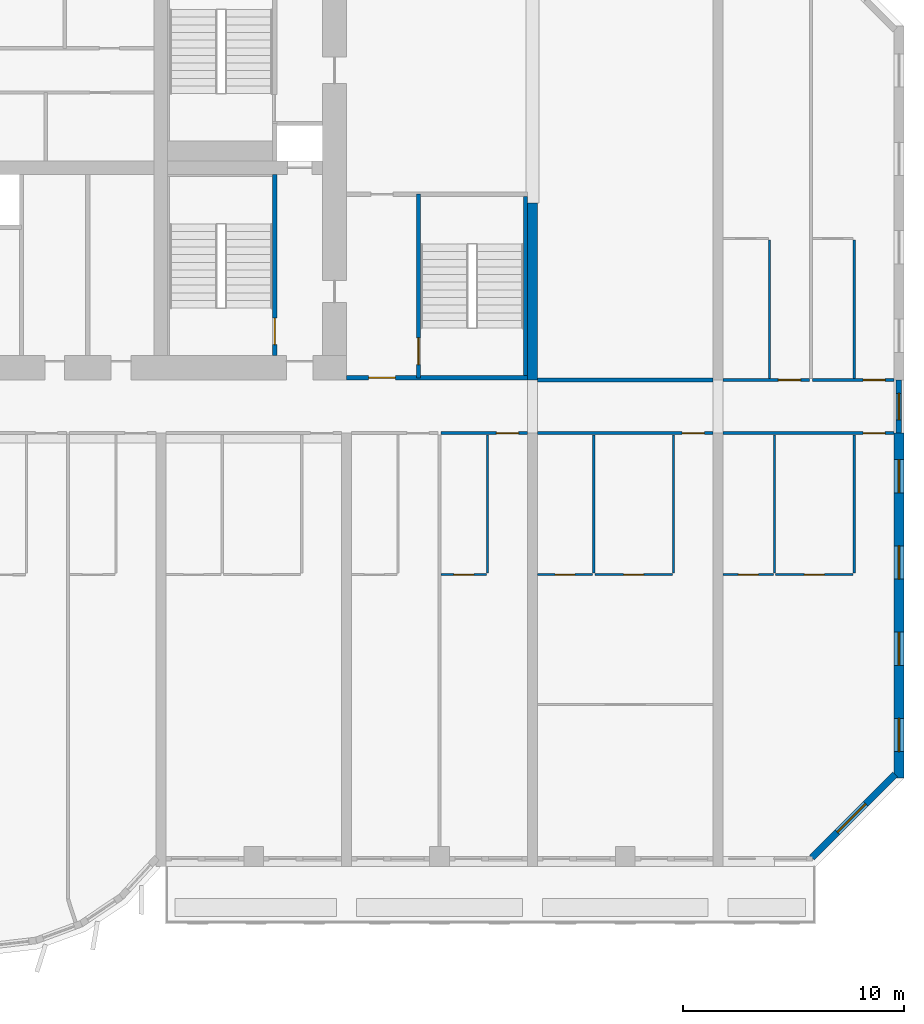
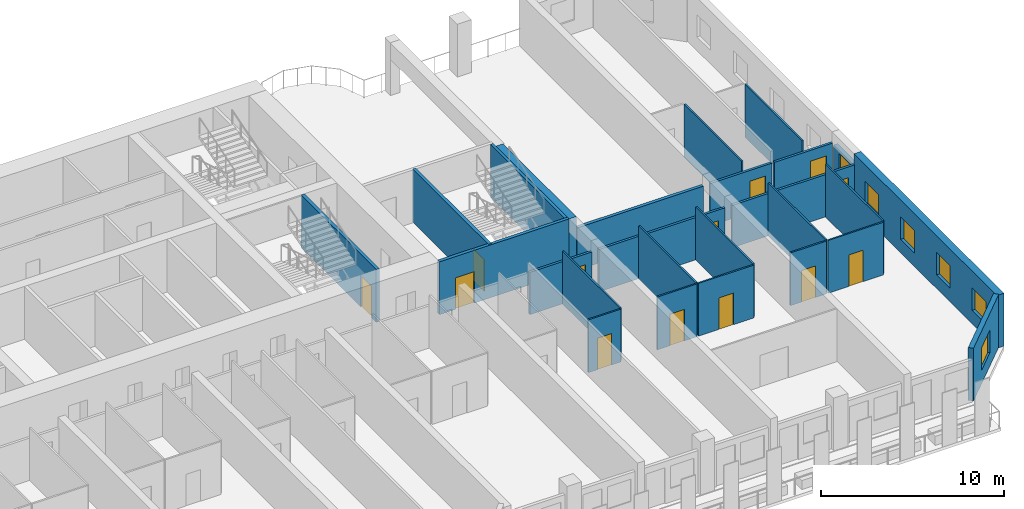
# One storey, part 9 of 14: 26 walls, 13 doors, 6 windows, 19 openings.
"""IFC4 building model written with IfcOpenShell, lengths in metres."""

from ifc_helpers import new_model, si_unit, direction, frame, frame_2d, origin, place, context, subcontext, project, spatial, rectangle, extrude, source, transform, mapped, material, layer, layer_set, type_object, element, fill, save


model = new_model("IFC4")

# Units and contexts
model_context = context("Model", 3, precision=1e-05, world=origin(), true_north=direction((0.0, 1.0)))
body_context = subcontext(model_context, "Body", "Model", "MODEL_VIEW")
ifc_project = project(units=[si_unit("LENGTHUNIT", "METRE"), si_unit("AREAUNIT", "SQUARE_METRE"), si_unit("VOLUMEUNIT", "CUBIC_METRE"), si_unit("PLANEANGLEUNIT", "RADIAN"), si_unit("MASSUNIT", "GRAM", prefix="KILO")], contexts=[model_context])

# Site, building, storey
site_placement = place(None, origin())
site = spatial("IfcSite", under=ifc_project, at=site_placement, CompositionType="ELEMENT")
building_placement = place(site_placement, origin())
building = spatial("IfcBuilding", under=site, at=building_placement, Name="Vanashikhar Sky Hotel", CompositionType="ELEMENT")
storey_placement = place(building_placement, frame((0.0, 0.0, 43.0)))
storey = spatial("IfcBuildingStorey", under=building, at=storey_placement, Name="L09", CompositionType="ELEMENT", Elevation=43.0)

# Wall, openings, windows
ifc_material_1 = material(Name="Concrete M80", Category="concrete")
ifc_layer_1 = layer(ifc_material_1, 0.449951171875)
ifc_layer_set_1 = layer_set([ifc_layer_1], Name="RC shear wall 450 Concrete M80")
wall_type_1 = type_object("IfcWallType", Name="RC shear wall 450 Concrete M80", PredefinedType="SHEAR", material=ifc_layer_set_1)
shared_shape_1 = source(origin(), body_context, "Body", "SweptSolid", [
    extrude(rectangle(XDim=15.60009765625, YDim=0.449951171875, at=frame_2d((7.800048828125, 0.0))), origin(), (0.0, 0.0, 1.0), 3.52001953125),
])
wall_1_placement = place(storey_placement, frame((100.574951171875, 4.0, 0.0), z_axis=(0.0, 0.0, 1.0), x_axis=(0.0, 1.0, 0.0)))
wall_1 = element("IfcWall", 1, at=wall_1_placement, inside=storey, type_object=wall_type_1, Name="CW-L09-XW13-1", PredefinedType="SHEAR", context=body_context, shape_type="MappedRepresentation", body=[
    mapped(shared_shape_1, transform((0.0, 0.0, 0.0), scale=1.0)),
])
shared_shape_2 = source(origin(), body_context, "Body", "SweptSolid", [
    extrude(rectangle(XDim=1.5, YDim=1.5, at=frame_2d((0.75, 0.75))), frame((0.0, 0.23486328125, 0.0), z_axis=(0.0, -1.0, 0.0), x_axis=(1.0, 0.0, 0.0)), (0.0, 0.0, 1.0), 0.469970703125),
])
opening_1_placement = place(wall_1_placement, frame((1.199951171875, 0.0, 0.89990234375)))
opening_1 = element("IfcOpeningElement", 2, at=opening_1_placement, cuts=wall_1, Name="Opening WN-1", PredefinedType="OPENING", context=body_context, shape_type="MappedRepresentation", body=[
    mapped(shared_shape_2, transform((0.0, 0.0, 0.0), scale=1.0)),
])
opening_2_placement = place(wall_1_placement, frame((5.10009765625, 0.0, 0.89990234375)))
opening_2 = element("IfcOpeningElement", 3, at=opening_2_placement, cuts=wall_1, Name="Opening WN-1", PredefinedType="OPENING", context=body_context, shape_type="MappedRepresentation", body=[
    mapped(shared_shape_2, transform((0.0, 0.0, 0.0), scale=1.0)),
])
opening_3_placement = place(wall_1_placement, frame((9.0, 0.0, 0.89990234375)))
opening_3 = element("IfcOpeningElement", 4, at=opening_3_placement, cuts=wall_1, Name="Opening WN-1", PredefinedType="OPENING", context=body_context, shape_type="MappedRepresentation", body=[
    mapped(shared_shape_2, transform((0.0, 0.0, 0.0), scale=1.0)),
])
opening_4_placement = place(wall_1_placement, frame((12.89990234375, 0.0, 0.89990234375)))
opening_4 = element("IfcOpeningElement", 5, at=opening_4_placement, cuts=wall_1, Name="Opening WN-1", PredefinedType="OPENING", context=body_context, shape_type="MappedRepresentation", body=[
    mapped(shared_shape_2, transform((0.0, 0.0, 0.0), scale=1.0)),
])
ifc_material_2 = material(Name="Glass", Category="glass")
window_type_1 = type_object("IfcWindowType", Name="Window 1500 x 1500", PartitioningType="SINGLE_PANEL", PredefinedType="WINDOW", material=ifc_material_2)
shared_shape_3 = source(origin(), body_context, "Body", "SweptSolid", [
    extrude(rectangle(XDim=1.5, YDim=1.5, at=frame_2d((0.75, 0.75))), frame((0.0, 0.030029296875, 0.0), z_axis=(0.0, -1.0, 0.0), x_axis=(1.0, 0.0, 0.0)), (0.0, 0.0, 1.0), 0.06005859375),
])
window_1_placement = place(opening_1_placement, origin())
window_1 = element("IfcWindow", 6, at=window_1_placement, inside=storey, type_object=window_type_1, Name="Window WN-1", OverallHeight=1.5, OverallWidth=1.5, PartitioningType="SINGLE_PANEL", PredefinedType="WINDOW", context=body_context, shape_type="MappedRepresentation", body=[
    mapped(shared_shape_3, transform((0.0, 0.0, 0.0), scale=1.0)),
])
fill(opening_1, window_1)
window_2_placement = place(opening_2_placement, origin())
window_2 = element("IfcWindow", 7, at=window_2_placement, inside=storey, type_object=window_type_1, Name="Window WN-1", OverallHeight=1.5, OverallWidth=1.5, PartitioningType="SINGLE_PANEL", PredefinedType="WINDOW", context=body_context, shape_type="MappedRepresentation", body=[
    mapped(shared_shape_3, transform((0.0, 0.0, 0.0), scale=1.0)),
])
fill(opening_2, window_2)
window_3_placement = place(opening_3_placement, origin())
window_3 = element("IfcWindow", 8, at=window_3_placement, inside=storey, type_object=window_type_1, Name="Window WN-1", OverallHeight=1.5, OverallWidth=1.5, PartitioningType="SINGLE_PANEL", PredefinedType="WINDOW", context=body_context, shape_type="MappedRepresentation", body=[
    mapped(shared_shape_3, transform((0.0, 0.0, 0.0), scale=1.0)),
])
fill(opening_3, window_3)
window_4_placement = place(opening_4_placement, origin())
window_4 = element("IfcWindow", 9, at=window_4_placement, inside=storey, type_object=window_type_1, Name="Window WN-1", OverallHeight=1.5, OverallWidth=1.5, PartitioningType="SINGLE_PANEL", PredefinedType="WINDOW", context=body_context, shape_type="MappedRepresentation", body=[
    mapped(shared_shape_3, transform((0.0, 0.0, 0.0), scale=1.0)),
])
fill(opening_4, window_4)

# Wall
shared_shape_4 = source(origin(), body_context, "Body", "SweptSolid", [
    extrude(rectangle(XDim=8.0, YDim=0.449951171875, at=frame_2d((4.0, 0.0))), origin(), (0.0, 0.0, 1.0), 3.52001953125),
])
wall_2_placement = place(storey_placement, frame((84.0, 22.0, 0.0), z_axis=(0.0, 0.0, 1.0), x_axis=(0.0, 1.0, 0.0)))
element("IfcWall", 10, at=wall_2_placement, inside=storey, type_object=wall_type_1, Name="CW-L09-XW11-2", PredefinedType="SHEAR", context=body_context, shape_type="MappedRepresentation", body=[
    mapped(shared_shape_4, transform((0.0, 0.0, 0.0), scale=1.0)),
])

# Wall, opening, window
ifc_material_3 = material(Name="Concrete M50", Category="concrete")
ifc_layer_2 = layer(ifc_material_3, 0.300048828125)
ifc_layer_set_2 = layer_set([ifc_layer_2], Name="Lobe wall 300")
wall_type_2 = type_object("IfcWallType", Name="Lobe wall 300", PredefinedType="SOLIDWALL", material=ifc_layer_set_2)
shared_shape_5 = source(origin(), body_context, "Body", "SweptSolid", [
    extrude(rectangle(XDim=5.32568359375, YDim=0.300048828125, at=frame_2d((2.662841796875, 0.0))), origin(), (0.0, 0.0, 1.0), 3.52001953125),
])
wall_3_placement = place(storey_placement, frame((96.63427734375, 0.39990234375, 0.0), z_axis=(0.0, 0.0, 1.0), x_axis=(0.707083859269, 0.707129702361, 0.0)))
wall_3 = element("IfcWall", 11, at=wall_3_placement, inside=storey, type_object=wall_type_2, Name="Corner wall", PredefinedType="SOLIDWALL", context=body_context, shape_type="MappedRepresentation", body=[
    mapped(shared_shape_5, transform((0.0, 0.0, 0.0), scale=1.0)),
])
shared_shape_6 = source(origin(), body_context, "Body", "SweptSolid", [
    extrude(rectangle(XDim=1.800048828125, YDim=1.5, at=frame_2d((0.89990234375, 0.75))), frame((0.0, 0.16015625, 0.0), z_axis=(0.0, -1.0, 0.0), x_axis=(1.0, 0.0, 0.0)), (0.0, 0.0, 1.0), 0.320068359375),
])
opening_5_placement = place(wall_3_placement, frame((1.636474609375, 0.0, 0.89990234375)))
opening_5 = element("IfcOpeningElement", 12, at=opening_5_placement, cuts=wall_3, Name="Opening WN-4", PredefinedType="OPENING", context=body_context, shape_type="MappedRepresentation", body=[
    mapped(shared_shape_6, transform((0.0, 0.0, 0.0), scale=1.0)),
])
window_type_2 = type_object("IfcWindowType", Name="Corner window 1800 x 1500", PartitioningType="SINGLE_PANEL", PredefinedType="WINDOW", material=ifc_material_2)
shared_shape_7 = source(origin(), body_context, "Body", "SweptSolid", [
    extrude(rectangle(XDim=1.800048828125, YDim=1.5, at=frame_2d((0.89990234375, 0.75))), frame((0.0, 0.030029296875, 0.0), z_axis=(0.0, -1.0, 0.0), x_axis=(1.0, 0.0, 0.0)), (0.0, 0.0, 1.0), 0.06005859375),
])
window_5_placement = place(opening_5_placement, origin())
window_5 = element("IfcWindow", 13, at=window_5_placement, inside=storey, type_object=window_type_2, Name="Window WN-4", OverallHeight=1.5, OverallWidth=1.800048828125, PartitioningType="SINGLE_PANEL", PredefinedType="WINDOW", context=body_context, shape_type="MappedRepresentation", body=[
    mapped(shared_shape_7, transform((0.0, 0.0, 0.0), scale=1.0)),
])
fill(opening_5, window_5)

ifc_layer_3 = layer(ifc_material_3, 0.25)
ifc_layer_set_3 = layer_set([ifc_layer_3], Name="Rear and end board-marked wall 250")
wall_type_3 = type_object("IfcWallType", Name="Rear and end board-marked wall 250", PredefinedType="SOLIDWALL", material=ifc_layer_set_3)
shared_shape_8 = source(origin(), body_context, "Body", "SweptSolid", [
    extrude(rectangle(XDim=2.39990234375, YDim=0.25, at=frame_2d((1.199951171875, 0.0))), origin(), (0.0, 0.0, 1.0), 2.6201171875),
])
wall_4_placement = place(storey_placement, frame((100.574951171875, 19.60009765625, 0.0), z_axis=(0.0, 0.0, 1.0), x_axis=(0.0, 1.0, 0.0)))
wall_4 = element("IfcWall", 14, at=wall_4_placement, inside=storey, type_object=wall_type_3, Name="End corridor infill wall", PredefinedType="SOLIDWALL", context=body_context, shape_type="MappedRepresentation", body=[
    mapped(shared_shape_8, transform((0.0, 0.0, 0.0), scale=1.0)),
])
shared_shape_9 = source(origin(), body_context, "Body", "SweptSolid", [
    extrude(rectangle(XDim=1.199951171875, YDim=1.5, at=frame_2d((0.60009765625, 0.75))), frame((0.0, 0.135009765625, 0.0), z_axis=(0.0, -1.0, 0.0), x_axis=(1.0, 0.0, 0.0)), (0.0, 0.0, 1.0), 0.27001953125),
])
opening_6_placement = place(wall_4_placement, frame((0.60009765625, 0.0, 0.89990234375)))
opening_6 = element("IfcOpeningElement", 15, at=opening_6_placement, cuts=wall_4, Name="Opening WN-3", PredefinedType="OPENING", context=body_context, shape_type="MappedRepresentation", body=[
    mapped(shared_shape_9, transform((0.0, 0.0, 0.0), scale=1.0)),
])
window_type_3 = type_object("IfcWindowType", Name="Corridor end window 1200 x 1500", PartitioningType="SINGLE_PANEL", PredefinedType="WINDOW", material=ifc_material_2)
shared_shape_10 = source(origin(), body_context, "Body", "SweptSolid", [
    extrude(rectangle(XDim=1.199951171875, YDim=1.5, at=frame_2d((0.60009765625, 0.75))), frame((0.0, 0.030029296875, 0.0), z_axis=(0.0, -1.0, 0.0), x_axis=(1.0, 0.0, 0.0)), (0.0, 0.0, 1.0), 0.06005859375),
])
window_6_placement = place(opening_6_placement, origin())
window_6 = element("IfcWindow", 16, at=window_6_placement, inside=storey, type_object=window_type_3, Name="Window WN-3", OverallHeight=1.5, OverallWidth=1.199951171875, PartitioningType="SINGLE_PANEL", PredefinedType="WINDOW", context=body_context, shape_type="MappedRepresentation", body=[
    mapped(shared_shape_10, transform((0.0, 0.0, 0.0), scale=1.0)),
])
fill(opening_6, window_6)

# Wall, opening, door
ifc_layer_4 = layer(ifc_material_3, 0.199951171875)
ifc_layer_set_4 = layer_set([ifc_layer_4], Name="Stair wall 200")
wall_type_4 = type_object("IfcWallType", Name="Stair wall 200", PredefinedType="SOLIDWALL", material=ifc_layer_set_4)
shared_shape_11 = source(origin(), body_context, "Body", "SweptSolid", [
    extrude(rectangle(XDim=8.199951171875, YDim=0.199951171875, at=frame_2d((4.10009765625, 0.0))), origin(), (0.0, 0.0, 1.0), 3.52001953125),
])
wall_5_placement = place(storey_placement, frame((72.35009765625, 23.10009765625, 0.0), z_axis=(0.0, 0.0, 1.0), x_axis=(0.0, 1.0, 0.0)))
wall_5 = element("IfcWall", 17, at=wall_5_placement, inside=storey, type_object=wall_type_4, Name="Stair wall 200", PredefinedType="SOLIDWALL", context=body_context, shape_type="MappedRepresentation", body=[
    mapped(shared_shape_11, transform((0.0, 0.0, 0.0), scale=1.0)),
])
shared_shape_12 = source(origin(), body_context, "Body", "SweptSolid", [
    extrude(rectangle(XDim=1.199951171875, YDim=2.10009765625, at=frame_2d((0.60009765625, 1.050048828125))), frame((0.0, 0.10986328125, 0.0), z_axis=(0.0, -1.0, 0.0), x_axis=(1.0, 0.0, 0.0)), (0.0, 0.0, 1.0), 0.219970703125),
])
opening_7_placement = place(wall_5_placement, frame((0.5, 0.0, 0.0)))
opening_7 = element("IfcOpeningElement", 18, at=opening_7_placement, cuts=wall_5, Name="Opening DC-1", PredefinedType="OPENING", context=body_context, shape_type="MappedRepresentation", body=[
    mapped(shared_shape_12, transform((0.0, 0.0, 0.0), scale=1.0)),
])
ifc_material_4 = material(Name="Steel", Category="steel")
door_type_1 = type_object("IfcDoorType", Name="Stair door 1200 FD120", OperationType="NOTDEFINED", PredefinedType="DOOR", material=ifc_material_4)
shared_shape_13 = source(origin(), body_context, "Body", "SweptSolid", [
    extrude(rectangle(XDim=1.199951171875, YDim=2.10009765625, at=frame_2d((0.60009765625, 1.050048828125))), frame((0.0, 0.02490234375, 0.0), z_axis=(0.0, -1.0, 0.0), x_axis=(1.0, 0.0, 0.0)), (0.0, 0.0, 1.0), 0.050048828125),
])
door_1_placement = place(opening_7_placement, origin())
door_1 = element("IfcDoor", 19, at=door_1_placement, inside=storey, type_object=door_type_1, Name="Stair door 1200 FD120", OperationType="SINGLE_SWING_RIGHT", OverallHeight=2.10009765625, OverallWidth=1.199951171875, PredefinedType="DOOR", context=body_context, shape_type="MappedRepresentation", body=[
    mapped(shared_shape_13, transform((0.0, 0.0, 0.0), scale=1.0)),
])
fill(opening_7, door_1)

shared_shape_14 = source(origin(), body_context, "Body", "SweptSolid", [
    extrude(rectangle(XDim=8.2998046875, YDim=0.199951171875, at=frame_2d((4.14990234375, 0.0))), origin(), (0.0, 0.0, 1.0), 3.52001953125),
])
wall_6_placement = place(storey_placement, frame((78.85009765625, 22.10009765625, 0.0), z_axis=(0.0, 0.0, 1.0), x_axis=(0.0, 1.0, 0.0)))
wall_6 = element("IfcWall", 20, at=wall_6_placement, inside=storey, type_object=wall_type_4, Name="Stair wall 200", PredefinedType="SOLIDWALL", context=body_context, shape_type="MappedRepresentation", body=[
    mapped(shared_shape_14, transform((0.0, 0.0, 0.0), scale=1.0)),
])
opening_8_placement = place(wall_6_placement, frame((0.60009765625, 0.0, 0.0)))
opening_8 = element("IfcOpeningElement", 21, at=opening_8_placement, cuts=wall_6, Name="Opening DC-1", PredefinedType="OPENING", context=body_context, shape_type="MappedRepresentation", body=[
    mapped(shared_shape_12, transform((0.0, 0.0, 0.0), scale=1.0)),
])
door_2_placement = place(opening_8_placement, origin())
door_2 = element("IfcDoor", 22, at=door_2_placement, inside=storey, type_object=door_type_1, Name="Stair door 1200 FD120", OperationType="SINGLE_SWING_RIGHT", OverallHeight=2.10009765625, OverallWidth=1.199951171875, PredefinedType="DOOR", context=body_context, shape_type="MappedRepresentation", body=[
    mapped(shared_shape_13, transform((0.0, 0.0, 0.0), scale=1.0)),
])
fill(opening_8, door_2)

shared_shape_15 = source(origin(), body_context, "Body", "SweptSolid", [
    extrude(rectangle(XDim=8.1748046875, YDim=0.199951171875, at=frame_2d((4.08740234375, 0.0))), origin(), (0.0, 0.0, 1.0), 3.52001953125),
])
wall_7_placement = place(storey_placement, frame((83.77490234375, 22.10009765625, 0.0), z_axis=(0.0, 0.0, 1.0), x_axis=(-1.0, 0.0, 0.0)))
wall_7 = element("IfcWall", 23, at=wall_7_placement, inside=storey, type_object=wall_type_4, Name="Stair wall 200", PredefinedType="SOLIDWALL", context=body_context, shape_type="MappedRepresentation", body=[
    mapped(shared_shape_15, transform((0.0, 0.0, 0.0), scale=1.0)),
])
opening_9_placement = place(wall_7_placement, frame((5.97509765625, 0.0, 0.0)))
opening_9 = element("IfcOpeningElement", 24, at=opening_9_placement, cuts=wall_7, Name="Opening DC-2", PredefinedType="OPENING", context=body_context, shape_type="MappedRepresentation", body=[
    mapped(shared_shape_12, transform((0.0, 0.0, 0.0), scale=1.0)),
])
door_type_2 = type_object("IfcDoorType", Name="Firefighting lobby door 1200 FD120", OperationType="NOTDEFINED", PredefinedType="DOOR", material=ifc_material_4)
door_3_placement = place(opening_9_placement, origin())
door_3 = element("IfcDoor", 25, at=door_3_placement, inside=storey, type_object=door_type_2, Name="Firefighting lobby door 1200 FD120", OperationType="SINGLE_SWING_LEFT", OverallHeight=2.10009765625, OverallWidth=1.199951171875, PredefinedType="DOOR", context=body_context, shape_type="MappedRepresentation", body=[
    mapped(shared_shape_13, transform((0.0, 0.0, 0.0), scale=1.0)),
])
fill(opening_9, door_3)

# Wall
ifc_layer_5 = layer(ifc_material_3, 0.175048828125)
ifc_layer_set_5 = layer_set([ifc_layer_5], Name="Stair infill wall 175")
wall_type_5 = type_object("IfcWallType", Name="Stair infill wall 175", PredefinedType="SOLIDWALL", material=ifc_layer_set_5)
shared_shape_16 = source(origin(), body_context, "Body", "SweptSolid", [
    extrude(rectangle(XDim=8.10009765625, YDim=0.175048828125, at=frame_2d((4.050048828125, 0.0))), origin(), (0.0, 0.0, 1.0), 3.52001953125),
])
wall_8_placement = place(storey_placement, frame((83.68798828125, 22.199951171875, 0.0), z_axis=(0.0, 0.0, 1.0), x_axis=(0.0, 1.0, 0.0)))
element("IfcWall", 26, at=wall_8_placement, inside=storey, type_object=wall_type_5, Name="Stair infill wall 175", PredefinedType="SOLIDWALL", context=body_context, shape_type="MappedRepresentation", body=[
    mapped(shared_shape_16, transform((0.0, 0.0, 0.0), scale=1.0)),
])

# Wall, opening, door
ifc_material_5 = material(Name="Gypsum plasterboard partition")
ifc_layer_6 = layer(ifc_material_5, 0.14990234375)
ifc_layer_set_6 = layer_set([ifc_layer_6], Name="Corridor and demising partition 150")
wall_type_6 = type_object("IfcWallType", Name="Corridor and demising partition 150", PredefinedType="PARTITIONING", material=ifc_layer_set_6)
shared_shape_17 = source(origin(), body_context, "Body", "SweptSolid", [
    extrude(rectangle(XDim=3.675048828125, YDim=0.14990234375, at=frame_2d((1.83740234375, 0.0))), origin(), (0.0, 0.0, 1.0), 2.820068359375),
])
wall_9_placement = place(storey_placement, frame((96.675048828125, 22.0, 0.0), z_axis=(0.0, 0.0, 1.0), x_axis=(1.0, 0.0, 0.0)))
wall_9 = element("IfcWall", 27, at=wall_9_placement, inside=storey, type_object=wall_type_6, Name="W-L09-PW087", PredefinedType="PARTITIONING", context=body_context, shape_type="MappedRepresentation", body=[
    mapped(shared_shape_17, transform((0.0, 0.0, 0.0), scale=1.0)),
])
shared_shape_18 = source(origin(), body_context, "Body", "SweptSolid", [
    extrude(rectangle(XDim=1.0, YDim=2.10009765625, at=frame_2d((0.5, 1.050048828125))), frame((0.0, 0.0849609375, 0.0), z_axis=(0.0, -1.0, 0.0), x_axis=(1.0, 0.0, 0.0)), (0.0, 0.0, 1.0), 0.169921875),
])
opening_10_placement = place(wall_9_placement, frame((2.27490234375, 0.0, 0.0)))
opening_10 = element("IfcOpeningElement", 28, at=opening_10_placement, cuts=wall_9, Name="Opening D-01", PredefinedType="OPENING", context=body_context, shape_type="MappedRepresentation", body=[
    mapped(shared_shape_18, transform((0.0, 0.0, 0.0), scale=1.0)),
])
ifc_material_6 = material(Name="Timber fire door", Category="wood")
door_type_3 = type_object("IfcDoorType", Name="Guest entry door 1000 FD30S", OperationType="NOTDEFINED", PredefinedType="DOOR", material=ifc_material_6)
shared_shape_19 = source(origin(), body_context, "Body", "SweptSolid", [
    extrude(rectangle(XDim=1.0, YDim=2.10009765625, at=frame_2d((0.5, 1.050048828125))), frame((0.0, 0.02490234375, 0.0), z_axis=(0.0, -1.0, 0.0), x_axis=(1.0, 0.0, 0.0)), (0.0, 0.0, 1.0), 0.050048828125),
])
door_4_placement = place(opening_10_placement, origin())
door_4 = element("IfcDoor", 29, at=door_4_placement, inside=storey, type_object=door_type_3, Name="D-L09-051", OperationType="SINGLE_SWING_RIGHT", OverallHeight=2.10009765625, OverallWidth=1.0, PredefinedType="DOOR", context=body_context, shape_type="MappedRepresentation", body=[
    mapped(shared_shape_19, transform((0.0, 0.0, 0.0), scale=1.0)),
])
fill(opening_10, door_4)

ifc_layer_7 = layer(ifc_material_5, 0.10009765625)
ifc_layer_set_7 = layer_set([ifc_layer_7], Name="Wet room partition 100")
wall_type_7 = type_object("IfcWallType", Name="Wet room partition 100", PredefinedType="PARTITIONING", material=ifc_layer_set_7)
shared_shape_20 = source(origin(), body_context, "Body", "SweptSolid", [
    extrude(rectangle(XDim=2.050048828125, YDim=0.10009765625, at=frame_2d((1.02490234375, 0.0))), origin(), (0.0, 0.0, 1.0), 3.52001953125),
])
wall_10_placement = place(storey_placement, frame((79.875, 13.199951171875, 0.0), z_axis=(0.0, 0.0, 1.0), x_axis=(1.0, 0.0, 0.0)))
wall_10 = element("IfcWall", 30, at=wall_10_placement, inside=storey, type_object=wall_type_7, Name="W-L09-PW054", PredefinedType="PARTITIONING", context=body_context, shape_type="MappedRepresentation", body=[
    mapped(shared_shape_20, transform((0.0, 0.0, 0.0), scale=1.0)),
])
shared_shape_21 = source(origin(), body_context, "Body", "SweptSolid", [
    extrude(rectangle(XDim=0.89990234375, YDim=2.10009765625, at=frame_2d((0.449951171875, 1.050048828125))), frame((0.0, 0.06005859375, 0.0), z_axis=(0.0, -1.0, 0.0), x_axis=(1.0, 0.0, 0.0)), (0.0, 0.0, 1.0), 0.1201171875),
])
opening_11_placement = place(wall_10_placement, frame((0.574951171875, 0.0, 0.0)))
opening_11 = element("IfcOpeningElement", 31, at=opening_11_placement, cuts=wall_10, Name="Opening D-02", PredefinedType="OPENING", context=body_context, shape_type="MappedRepresentation", body=[
    mapped(shared_shape_21, transform((0.0, 0.0, 0.0), scale=1.0)),
])
ifc_material_7 = material(Name="Timber door", Category="wood")
door_type_4 = type_object("IfcDoorType", Name="Internal door 900", OperationType="NOTDEFINED", PredefinedType="DOOR", material=ifc_material_7)
shared_shape_22 = source(origin(), body_context, "Body", "SweptSolid", [
    extrude(rectangle(XDim=0.89990234375, YDim=2.10009765625, at=frame_2d((0.449951171875, 1.050048828125))), frame((0.0, 0.02490234375, 0.0), z_axis=(0.0, -1.0, 0.0), x_axis=(1.0, 0.0, 0.0)), (0.0, 0.0, 1.0), 0.050048828125),
])
door_5_placement = place(opening_11_placement, origin())
door_5 = element("IfcDoor", 32, at=door_5_placement, inside=storey, type_object=door_type_4, Name="D-L09-032", OperationType="SINGLE_SWING_RIGHT", OverallHeight=2.10009765625, OverallWidth=0.89990234375, PredefinedType="DOOR", context=body_context, shape_type="MappedRepresentation", body=[
    mapped(shared_shape_22, transform((0.0, 0.0, 0.0), scale=1.0)),
])
fill(opening_11, door_5)

shared_shape_23 = source(origin(), body_context, "Body", "SweptSolid", [
    extrude(rectangle(XDim=3.89990234375, YDim=0.14990234375, at=frame_2d((1.949951171875, 0.0))), origin(), (0.0, 0.0, 1.0), 2.820068359375),
])
wall_11_placement = place(storey_placement, frame((79.875, 19.60009765625, 0.0), z_axis=(0.0, 0.0, 1.0), x_axis=(1.0, 0.0, 0.0)))
wall_11 = element("IfcWall", 33, at=wall_11_placement, inside=storey, type_object=wall_type_6, Name="W-L09-PW055", PredefinedType="PARTITIONING", context=body_context, shape_type="MappedRepresentation", body=[
    mapped(shared_shape_23, transform((0.0, 0.0, 0.0), scale=1.0)),
])
opening_12_placement = place(wall_11_placement, frame((2.5, 0.0, 0.0)))
opening_12 = element("IfcOpeningElement", 34, at=opening_12_placement, cuts=wall_11, Name="Opening D-01", PredefinedType="OPENING", context=body_context, shape_type="MappedRepresentation", body=[
    mapped(shared_shape_18, transform((0.0, 0.0, 0.0), scale=1.0)),
])
door_6_placement = place(opening_12_placement, origin())
door_6 = element("IfcDoor", 35, at=door_6_placement, inside=storey, type_object=door_type_3, Name="D-L09-033", OperationType="SINGLE_SWING_RIGHT", OverallHeight=2.10009765625, OverallWidth=1.0, PredefinedType="DOOR", context=body_context, shape_type="MappedRepresentation", body=[
    mapped(shared_shape_19, transform((0.0, 0.0, 0.0), scale=1.0)),
])
fill(opening_12, door_6)

wall_12_placement = place(storey_placement, frame((92.625, 22.0, 0.0), z_axis=(0.0, 0.0, 1.0), x_axis=(1.0, 0.0, 0.0)))
wall_12 = element("IfcWall", 36, at=wall_12_placement, inside=storey, type_object=wall_type_6, Name="W-L09-PW084", PredefinedType="PARTITIONING", context=body_context, shape_type="MappedRepresentation", body=[
    mapped(shared_shape_23, transform((0.0, 0.0, 0.0), scale=1.0)),
])
opening_13_placement = place(wall_12_placement, frame((2.5, 0.0, 0.0)))
opening_13 = element("IfcOpeningElement", 37, at=opening_13_placement, cuts=wall_12, Name="Opening D-01", PredefinedType="OPENING", context=body_context, shape_type="MappedRepresentation", body=[
    mapped(shared_shape_18, transform((0.0, 0.0, 0.0), scale=1.0)),
])
door_7_placement = place(opening_13_placement, origin())
door_7 = element("IfcDoor", 38, at=door_7_placement, inside=storey, type_object=door_type_3, Name="D-L09-049", OperationType="SINGLE_SWING_RIGHT", OverallHeight=2.10009765625, OverallWidth=1.0, PredefinedType="DOOR", context=body_context, shape_type="MappedRepresentation", body=[
    mapped(shared_shape_19, transform((0.0, 0.0, 0.0), scale=1.0)),
])
fill(opening_13, door_7)

shared_shape_24 = source(origin(), body_context, "Body", "SweptSolid", [
    extrude(rectangle(XDim=3.5, YDim=0.10009765625, at=frame_2d((1.75, 0.0))), origin(), (0.0, 0.0, 1.0), 3.52001953125),
])
wall_13_placement = place(storey_placement, frame((86.824951171875, 13.199951171875, 0.0), z_axis=(0.0, 0.0, 1.0), x_axis=(1.0, 0.0, 0.0)))
wall_13 = element("IfcWall", 39, at=wall_13_placement, inside=storey, type_object=wall_type_7, Name="W-L09-PW059", PredefinedType="PARTITIONING", context=body_context, shape_type="MappedRepresentation", body=[
    mapped(shared_shape_24, transform((0.0, 0.0, 0.0), scale=1.0)),
])
opening_14_placement = place(wall_13_placement, frame((1.300048828125, 0.0, 0.0)))
opening_14 = element("IfcOpeningElement", 40, at=opening_14_placement, cuts=wall_13, Name="Opening D-02", PredefinedType="OPENING", context=body_context, shape_type="MappedRepresentation", body=[
    mapped(shared_shape_21, transform((0.0, 0.0, 0.0), scale=1.0)),
])
door_8_placement = place(opening_14_placement, origin())
door_8 = element("IfcDoor", 41, at=door_8_placement, inside=storey, type_object=door_type_4, Name="D-L09-034", OperationType="SINGLE_SWING_RIGHT", OverallHeight=2.10009765625, OverallWidth=0.89990234375, PredefinedType="DOOR", context=body_context, shape_type="MappedRepresentation", body=[
    mapped(shared_shape_22, transform((0.0, 0.0, 0.0), scale=1.0)),
])
fill(opening_14, door_8)

wall_14_placement = place(storey_placement, frame((95.0, 13.199951171875, 0.0), z_axis=(0.0, 0.0, 1.0), x_axis=(1.0, 0.0, 0.0)))
wall_14 = element("IfcWall", 42, at=wall_14_placement, inside=storey, type_object=wall_type_7, Name="W-L09-PW065", PredefinedType="PARTITIONING", context=body_context, shape_type="MappedRepresentation", body=[
    mapped(shared_shape_24, transform((0.0, 0.0, 0.0), scale=1.0)),
])
opening_15_placement = place(wall_14_placement, frame((1.300048828125, 0.0, 0.0)))
opening_15 = element("IfcOpeningElement", 43, at=opening_15_placement, cuts=wall_14, Name="Opening D-02", PredefinedType="OPENING", context=body_context, shape_type="MappedRepresentation", body=[
    mapped(shared_shape_21, transform((0.0, 0.0, 0.0), scale=1.0)),
])
door_9_placement = place(opening_15_placement, origin())
door_9 = element("IfcDoor", 44, at=door_9_placement, inside=storey, type_object=door_type_4, Name="D-L09-038", OperationType="SINGLE_SWING_RIGHT", OverallHeight=2.10009765625, OverallWidth=0.89990234375, PredefinedType="DOOR", context=body_context, shape_type="MappedRepresentation", body=[
    mapped(shared_shape_22, transform((0.0, 0.0, 0.0), scale=1.0)),
])
fill(opening_15, door_9)

shared_shape_25 = source(origin(), body_context, "Body", "SweptSolid", [
    extrude(rectangle(XDim=2.27490234375, YDim=0.10009765625, at=frame_2d((1.137451171875, 0.0))), origin(), (0.0, 0.0, 1.0), 3.52001953125),
])
wall_15_placement = place(storey_placement, frame((92.625, 13.199951171875, 0.0), z_axis=(0.0, 0.0, 1.0), x_axis=(1.0, 0.0, 0.0)))
wall_15 = element("IfcWall", 45, at=wall_15_placement, inside=storey, type_object=wall_type_7, Name="W-L09-PW066", PredefinedType="PARTITIONING", context=body_context, shape_type="MappedRepresentation", body=[
    mapped(shared_shape_25, transform((0.0, 0.0, 0.0), scale=1.0)),
])
opening_16_placement = place(wall_15_placement, frame((0.68798828125, 0.0, 0.0)))
opening_16 = element("IfcOpeningElement", 46, at=opening_16_placement, cuts=wall_15, Name="Opening D-02", PredefinedType="OPENING", context=body_context, shape_type="MappedRepresentation", body=[
    mapped(shared_shape_21, transform((0.0, 0.0, 0.0), scale=1.0)),
])
door_10_placement = place(opening_16_placement, origin())
door_10 = element("IfcDoor", 47, at=door_10_placement, inside=storey, type_object=door_type_4, Name="D-L09-039", OperationType="SINGLE_SWING_RIGHT", OverallHeight=2.10009765625, OverallWidth=0.89990234375, PredefinedType="DOOR", context=body_context, shape_type="MappedRepresentation", body=[
    mapped(shared_shape_22, transform((0.0, 0.0, 0.0), scale=1.0)),
])
fill(opening_16, door_10)

shared_shape_26 = source(origin(), body_context, "Body", "SweptSolid", [
    extrude(rectangle(XDim=7.72509765625, YDim=0.14990234375, at=frame_2d((3.862548828125, 0.0))), origin(), (0.0, 0.0, 1.0), 2.820068359375),
])
wall_16_placement = place(storey_placement, frame((92.625, 19.60009765625, 0.0), z_axis=(0.0, 0.0, 1.0), x_axis=(1.0, 0.0, 0.0)))
wall_16 = element("IfcWall", 48, at=wall_16_placement, inside=storey, type_object=wall_type_6, Name="W-L09-PW067", PredefinedType="PARTITIONING", context=body_context, shape_type="MappedRepresentation", body=[
    mapped(shared_shape_26, transform((0.0, 0.0, 0.0), scale=1.0)),
])
opening_17_placement = place(wall_16_placement, frame((6.324951171875, 0.0, 0.0)))
opening_17 = element("IfcOpeningElement", 49, at=opening_17_placement, cuts=wall_16, Name="Opening D-01", PredefinedType="OPENING", context=body_context, shape_type="MappedRepresentation", body=[
    mapped(shared_shape_18, transform((0.0, 0.0, 0.0), scale=1.0)),
])
door_11_placement = place(opening_17_placement, origin())
door_11 = element("IfcDoor", 50, at=door_11_placement, inside=storey, type_object=door_type_3, Name="D-L09-040", OperationType="SINGLE_SWING_RIGHT", OverallHeight=2.10009765625, OverallWidth=1.0, PredefinedType="DOOR", context=body_context, shape_type="MappedRepresentation", body=[
    mapped(shared_shape_19, transform((0.0, 0.0, 0.0), scale=1.0)),
])
fill(opening_17, door_11)

# Walls
ifc_material_8 = material(Name="Masonry partition", Category="masonry")
ifc_layer_8 = layer(ifc_material_8, 0.199951171875)
ifc_layer_set_8 = layer_set([ifc_layer_8], Name="Refuge enclosure wall 200")
wall_type_8 = type_object("IfcWallType", Name="Refuge enclosure wall 200", PredefinedType="PARTITIONING", material=ifc_layer_set_8)
shared_shape_27 = source(origin(), body_context, "Body", "SweptSolid", [
    extrude(rectangle(XDim=7.949951171875, YDim=0.199951171875, at=frame_2d((3.97509765625, 0.0))), origin(), (0.0, 0.0, 1.0), 2.820068359375),
])
wall_17_placement = place(storey_placement, frame((84.22509765625, 22.0, 0.0), z_axis=(0.0, 0.0, 1.0), x_axis=(1.0, 0.0, 0.0)))
element("IfcWall", 51, at=wall_17_placement, inside=storey, type_object=wall_type_8, Name="W-L09-PW089", PredefinedType="PARTITIONING", context=body_context, shape_type="MappedRepresentation", body=[
    mapped(shared_shape_27, transform((0.0, 0.0, 0.0), scale=1.0)),
])
shared_shape_28 = source(origin(), body_context, "Body", "SweptSolid", [
    extrude(rectangle(XDim=6.25, YDim=0.10009765625, at=frame_2d((3.125, 0.0))), origin(), (0.0, 0.0, 1.0), 3.52001953125),
])
for number, where, z_axis, x_axis, name in (
    (52, (81.97509765625, 13.27490234375, 0.0), (0.0, 0.0, 1.0), (0.0, 1.0, 0.0), "W-L09-PW053"),
    (53, (90.375, 13.27490234375, 0.0), (0.0, 0.0, 1.0), (0.0, 1.0, 0.0), "W-L09-PW057"),
    (54, (86.77490234375, 13.27490234375, 0.0), (0.0, 0.0, 1.0), (0.0, 1.0, 0.0), "W-L09-PW058"),
    (55, (98.550048828125, 13.27490234375, 0.0), (0.0, 0.0, 1.0), (0.0, 1.0, 0.0), "W-L09-PW063"),
    (56, (94.949951171875, 13.27490234375, 0.0), (0.0, 0.0, 1.0), (0.0, 1.0, 0.0), "W-L09-PW064"),
    (57, (94.72509765625, 22.074951171875, 0.0), (0.0, 0.0, 1.0), (0.0, 1.0, 0.0), "W-L09-PW082"),
    (58, (98.550048828125, 22.074951171875, 0.0), (0.0, 0.0, 1.0), (0.0, 1.0, 0.0), "W-L09-PW085"),
):
    element("IfcWall", number, at=place(storey_placement, frame(where, z_axis=z_axis, x_axis=x_axis)), inside=storey, type_object=wall_type_7, Name=name, PredefinedType="PARTITIONING", context=body_context, shape_type="MappedRepresentation", body=[
        mapped(shared_shape_28, transform((0.0, 0.0, 0.0), scale=1.0)),
    ])

# Wall, opening, door
shared_shape_29 = source(origin(), body_context, "Body", "SweptSolid", [
    extrude(rectangle(XDim=2.5, YDim=0.10009765625, at=frame_2d((1.25, 0.0))), origin(), (0.0, 0.0, 1.0), 3.52001953125),
])
wall_18_placement = place(storey_placement, frame((84.22509765625, 13.199951171875, 0.0), z_axis=(0.0, 0.0, 1.0), x_axis=(1.0, 0.0, 0.0)))
wall_18 = element("IfcWall", 59, at=wall_18_placement, inside=storey, type_object=wall_type_7, Name="W-L09-PW060", PredefinedType="PARTITIONING", context=body_context, shape_type="MappedRepresentation", body=[
    mapped(shared_shape_29, transform((0.0, 0.0, 0.0), scale=1.0)),
])
opening_18_placement = place(wall_18_placement, frame((0.800048828125, 0.0, 0.0)))
opening_18 = element("IfcOpeningElement", 60, at=opening_18_placement, cuts=wall_18, Name="Opening D-02", PredefinedType="OPENING", context=body_context, shape_type="MappedRepresentation", body=[
    mapped(shared_shape_21, transform((0.0, 0.0, 0.0), scale=1.0)),
])
door_12_placement = place(opening_18_placement, origin())
door_12 = element("IfcDoor", 61, at=door_12_placement, inside=storey, type_object=door_type_4, Name="D-L09-035", OperationType="SINGLE_SWING_RIGHT", OverallHeight=2.10009765625, OverallWidth=0.89990234375, PredefinedType="DOOR", context=body_context, shape_type="MappedRepresentation", body=[
    mapped(shared_shape_22, transform((0.0, 0.0, 0.0), scale=1.0)),
])
fill(opening_18, door_12)

shared_shape_30 = source(origin(), body_context, "Body", "SweptSolid", [
    extrude(rectangle(XDim=7.949951171875, YDim=0.14990234375, at=frame_2d((3.97509765625, 0.0))), origin(), (0.0, 0.0, 1.0), 2.820068359375),
])
wall_19_placement = place(storey_placement, frame((84.22509765625, 19.60009765625, 0.0), z_axis=(0.0, 0.0, 1.0), x_axis=(1.0, 0.0, 0.0)))
wall_19 = element("IfcWall", 62, at=wall_19_placement, inside=storey, type_object=wall_type_6, Name="W-L09-PW062", PredefinedType="PARTITIONING", context=body_context, shape_type="MappedRepresentation", body=[
    mapped(shared_shape_30, transform((0.0, 0.0, 0.0), scale=1.0)),
])
opening_19_placement = place(wall_19_placement, frame((6.550048828125, 0.0, 0.0)))
opening_19 = element("IfcOpeningElement", 63, at=opening_19_placement, cuts=wall_19, Name="Opening D-01", PredefinedType="OPENING", context=body_context, shape_type="MappedRepresentation", body=[
    mapped(shared_shape_18, transform((0.0, 0.0, 0.0), scale=1.0)),
])
door_13_placement = place(opening_19_placement, origin())
door_13 = element("IfcDoor", 64, at=door_13_placement, inside=storey, type_object=door_type_3, Name="D-L09-037", OperationType="SINGLE_SWING_RIGHT", OverallHeight=2.10009765625, OverallWidth=1.0, PredefinedType="DOOR", context=body_context, shape_type="MappedRepresentation", body=[
    mapped(shared_shape_19, transform((0.0, 0.0, 0.0), scale=1.0)),
])
fill(opening_19, door_13)

save(model, "model.ifc")
